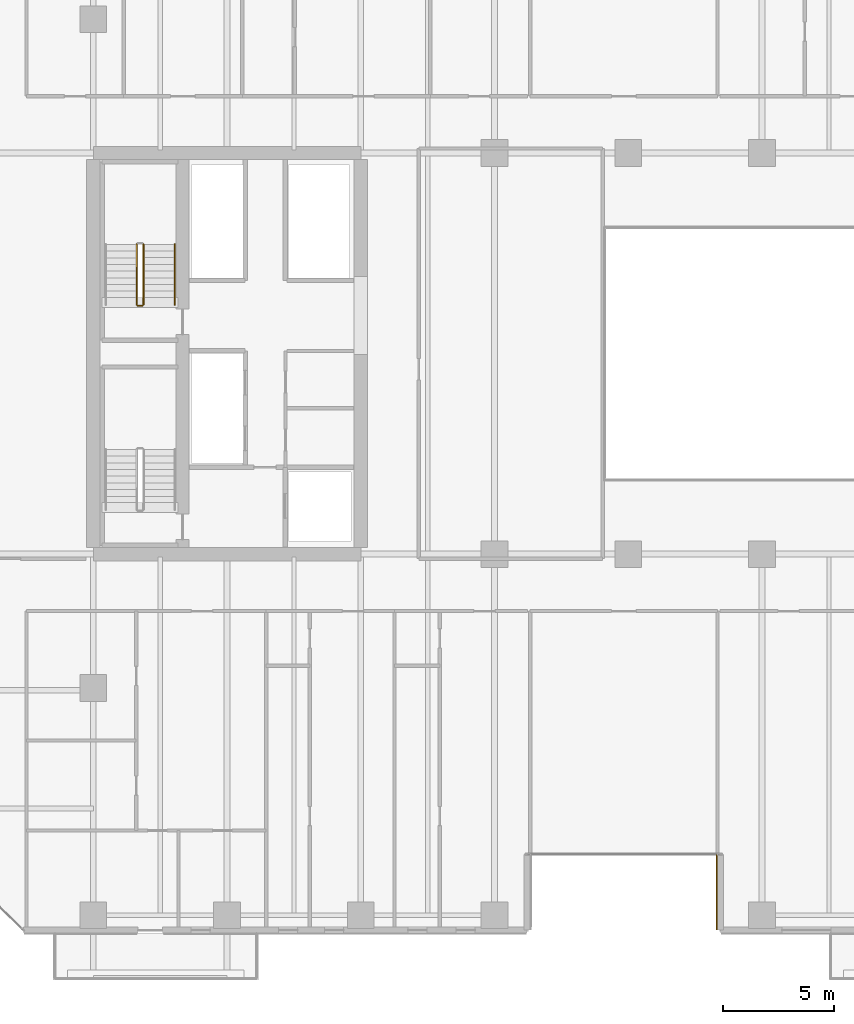
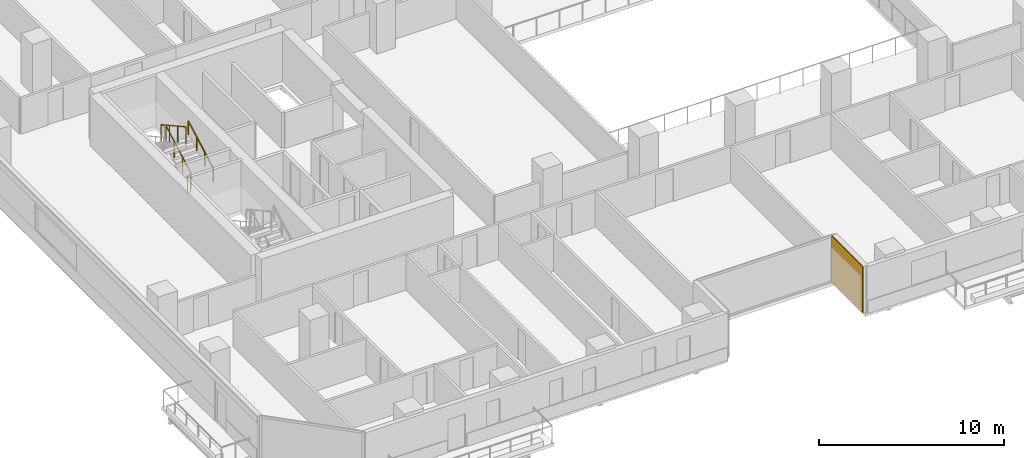
# One storey, part 27 of 33: 4 railings, 1 covering.
"""IFC4 building model written with IfcOpenShell, lengths in metres."""

from ifc_helpers import new_model, si_unit, direction, frame, origin, origin_2d, place, context, subcontext, project, spatial, rectangle, extrude, material, layer, layer_set, type_object, element, save


model = new_model("IFC4")

# Units and contexts
model_context = context("Model", 3, precision=1e-05, world=origin(), true_north=direction((0.0, 1.0)))
body_context = subcontext(model_context, "Body", "Model", "MODEL_VIEW")
ifc_project = project(units=[si_unit("LENGTHUNIT", "METRE"), si_unit("AREAUNIT", "SQUARE_METRE"), si_unit("VOLUMEUNIT", "CUBIC_METRE"), si_unit("PLANEANGLEUNIT", "RADIAN"), si_unit("MASSUNIT", "GRAM", prefix="KILO")], contexts=[model_context])

# Site, building, storey
site_placement = place(None, origin())
site = spatial("IfcSite", under=ifc_project, at=site_placement, CompositionType="ELEMENT")
building_placement = place(site_placement, origin())
building = spatial("IfcBuilding", under=site, at=building_placement, Name="Tanjung Sevakor Pilgrim Tower", CompositionType="ELEMENT")
storey_placement = place(building_placement, frame((0.0, 0.0, 32.340087890625)))
storey = spatial("IfcBuildingStorey", under=building, at=storey_placement, Name="L08", CompositionType="ELEMENT", Elevation=32.340087890625)

# Covering
ifc_material_1 = material(Name="Reconstructed Limestone Cladding", Category="masonry")
ifc_layer = layer(ifc_material_1, 0.044921875)
ifc_layer_set = layer_set([ifc_layer], Name="COV-CLAD-LIMESTONE")
covering_type = type_object("IfcCoveringType", Name="COV-CLAD-LIMESTONE", PredefinedType="CLADDING", material=ifc_layer_set)
covering_placement = place(storey_placement, frame((51.9775390625, 9.43994140625, 0.019775390625), z_axis=(0.0, 0.0, 1.0), x_axis=(0.0, -1.0, 0.0)))
element("IfcCovering", 1, at=covering_placement, inside=storey, type_object=covering_type, Name="L08 Warm Limestone Wall Cladding EW-L08-MAIN-4", PredefinedType="CLADDING", context=body_context, shape_type="SweptSolid", body=[
    extrude(rectangle(XDim=3.360107421875, YDim=0.044921875, at=origin_2d()), origin(), (0.0, 0.0, 1.0), 3.0400390625),
])

# Railings
ifc_material_2 = material(Name="Steel S355J2", Category="steel")
railing_type_1 = type_object("IfcRailingType", Name="RL-STAIR-GUARD", PredefinedType="GUARDRAIL", material=ifc_material_2)
railing_1_placement = place(storey_placement, frame((26.25, 35.800048828125, 0.164794921875)))
element("IfcRailing", 2, at=railing_1_placement, inside=storey, type_object=railing_type_1, Name="L08 TS-W2 stair guard 1", PredefinedType="GUARDRAIL", context=body_context, shape_type="SweptSolid", body=[
    extrude(rectangle(XDim=0.0479, YDim=0.0479), frame((0.0, 0.0, 1.076171875), z_axis=(0.0, 0.876197507361, 0.481952205197), x_axis=(-1.0, 0.0, 0.0)), (0.0, 0.0, 1.0), 3.08154296875),
    extrude(rectangle(XDim=0.042, YDim=0.042), origin(), (0.0, 0.0, 1.0), 1.052001953125),
    extrude(rectangle(XDim=0.042, YDim=0.042), frame((0.0, 0.89990234375, 0.4951171875)), (0.0, 0.0, 1.0), 1.052001953125),
    extrude(rectangle(XDim=0.042, YDim=0.042), frame((0.0, 1.800048828125, 0.989990234375)), (0.0, 0.0, 1.0), 1.052001953125),
    extrude(rectangle(XDim=0.042, YDim=0.042), frame((0.0, 2.699951171875, 1.485107421875)), (0.0, 0.0, 1.0), 1.052001953125),
])
railing_2_placement = place(storey_placement, frame((25.949951171875, 38.5, 1.81494140625)))
element("IfcRailing", 3, at=railing_2_placement, inside=storey, type_object=railing_type_1, Name="L08 TS-W2 stair guard 3", PredefinedType="GUARDRAIL", context=body_context, shape_type="SweptSolid", body=[
    extrude(rectangle(XDim=0.0479, YDim=0.0479), frame((0.0, 0.0, 1.076171875), z_axis=(0.0, -0.876230963923, 0.481891375584), x_axis=(1.0, 0.0, 0.0)), (0.0, 0.0, 1.0), 3.081298828125),
    extrude(rectangle(XDim=0.042, YDim=0.042), origin(), (0.0, 0.0, 1.0), 1.052001953125),
    extrude(rectangle(XDim=0.042, YDim=0.042), frame((0.0, -0.89990234375, 0.494873046875)), (0.0, 0.0, 1.0), 1.052001953125),
    extrude(rectangle(XDim=0.042, YDim=0.042), frame((0.0, -1.800048828125, 0.989990234375)), (0.0, 0.0, 1.0), 1.052001953125),
    extrude(rectangle(XDim=0.042, YDim=0.042), frame((0.0, -2.699951171875, 1.48486328125)), (0.0, 0.0, 1.0), 1.052001953125),
])
railing_3_placement = place(storey_placement, frame((26.199951171875, 35.75, 0.0)))
element("IfcRailing", 4, at=railing_3_placement, inside=storey, type_object=railing_type_1, Name="L08 TS-W2 stair guard 4", PredefinedType="GUARDRAIL", context=body_context, shape_type="SweptSolid", body=[
    extrude(rectangle(XDim=0.0479, YDim=0.0479), frame((0.0, 0.0, 1.076171875), z_axis=(-1.0, 0.0, 0.0), x_axis=(0.0, -1.0, 0.0)), (0.0, 0.0, 1.0), 0.199951171875),
    extrude(rectangle(XDim=0.042, YDim=0.042), origin(), (0.0, 0.0, 1.0), 1.052001953125),
    extrude(rectangle(XDim=0.042, YDim=0.042), frame((-0.199951171875, 0.0, 0.0)), (0.0, 0.0, 1.0), 1.052001953125),
])
ifc_material_3 = material(Name="Steel S355J2", Category="steel")
railing_type_2 = type_object("IfcRailingType", Name="RL-STAIR-HAND", PredefinedType="HANDRAIL", material=ifc_material_3)
railing_4_placement = place(storey_placement, frame((27.64990234375, 35.800048828125, 0.164794921875)))
element("IfcRailing", 5, at=railing_4_placement, inside=storey, type_object=railing_type_2, Name="L08 TS-W2 stair handrail 1", PredefinedType="HANDRAIL", context=body_context, shape_type="SweptSolid", body=[
    extrude(rectangle(XDim=0.0479, YDim=0.0479), frame((0.0, 0.0, 0.8759765625), z_axis=(0.0, 0.876197507361, 0.481952205197), x_axis=(-1.0, 0.0, 0.0)), (0.0, 0.0, 1.0), 3.08154296875),
    extrude(rectangle(XDim=0.042, YDim=0.042), origin(), (0.0, 0.0, 1.0), 0.851806640625),
    extrude(rectangle(XDim=0.042, YDim=0.042), frame((0.0, 0.89990234375, 0.4951171875)), (0.0, 0.0, 1.0), 0.851806640625),
    extrude(rectangle(XDim=0.042, YDim=0.042), frame((0.0, 1.800048828125, 0.989990234375)), (0.0, 0.0, 1.0), 0.851806640625),
    extrude(rectangle(XDim=0.042, YDim=0.042), frame((0.0, 2.699951171875, 1.485107421875)), (0.0, 0.0, 1.0), 0.851806640625),
])

save(model, "model.ifc")
